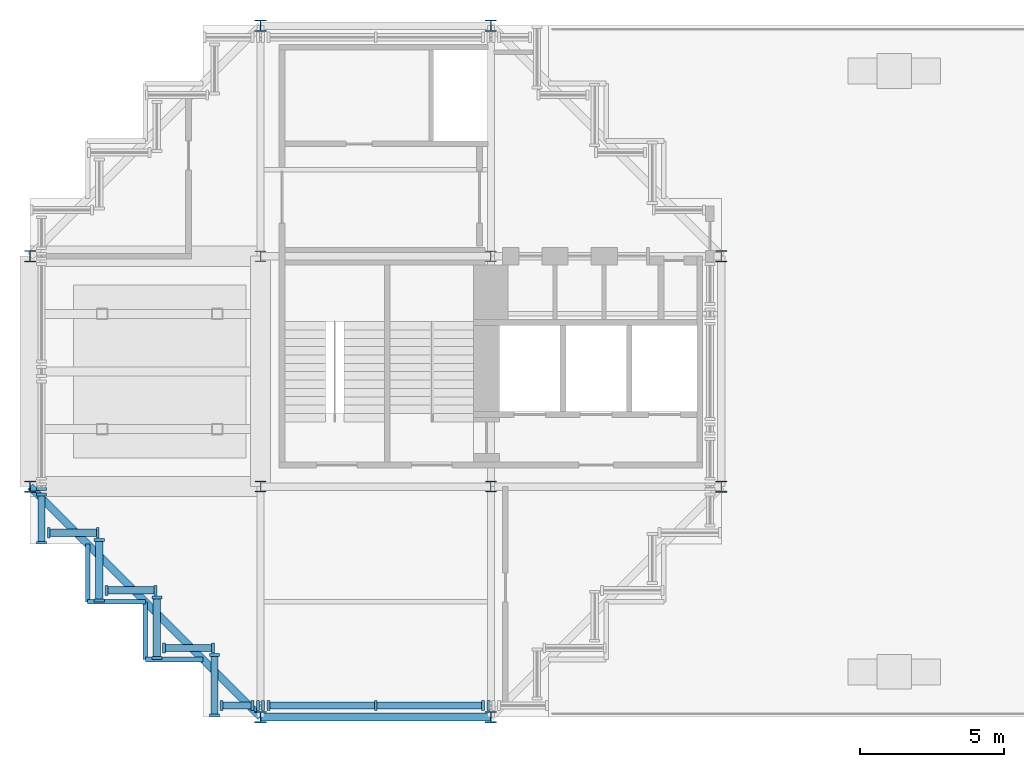
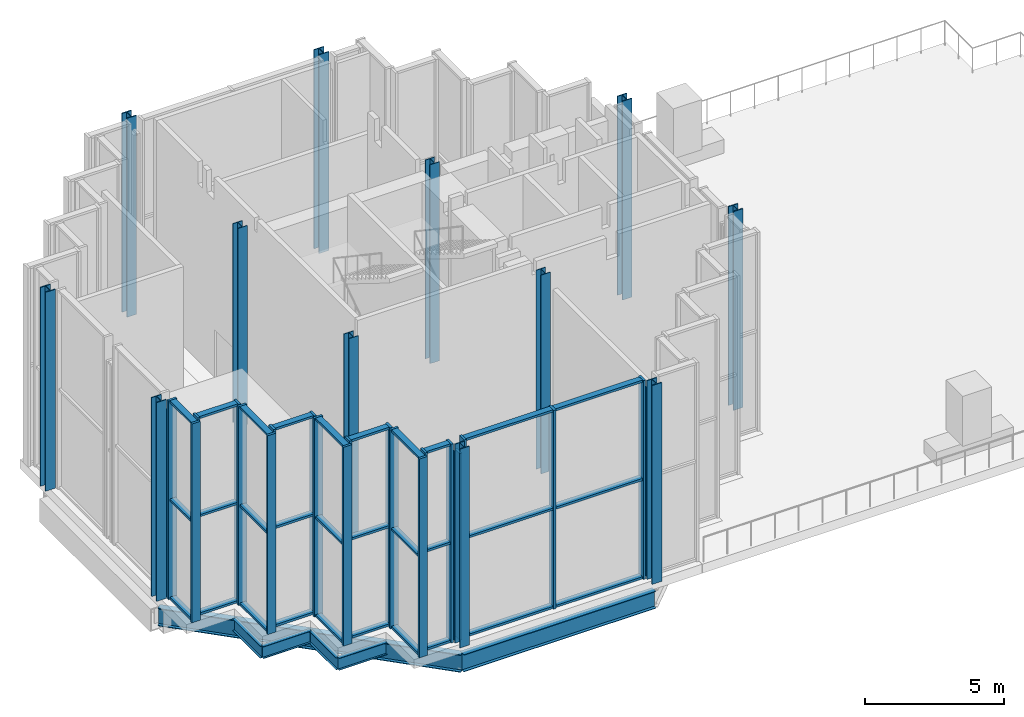
# One storey, part 1 of 15: 53 members, 12 columns, 6 beams, 12 elements without a shape of their own.
"""IFC4 building model written with IfcOpenShell, lengths in metres."""

from ifc_helpers import new_model, si_unit, direction, frame, origin, origin_2d, place, context, subcontext, project, spatial, rectangle, i_section, extrude, material, material_profile, profile_set, type_object, element, aggregate, save


model = new_model("IFC4")

# Units and contexts
model_context = context("Model", 3, precision=1e-05, world=origin(), true_north=direction((0.0, 1.0)))
body_context = subcontext(model_context, "Body", "Model", "MODEL_VIEW")
ifc_project = project(units=[si_unit("LENGTHUNIT", "METRE"), si_unit("AREAUNIT", "SQUARE_METRE"), si_unit("VOLUMEUNIT", "CUBIC_METRE"), si_unit("PLANEANGLEUNIT", "RADIAN"), si_unit("MASSUNIT", "GRAM", prefix="KILO")], contexts=[model_context])

# Site, building, storey
site_placement = place(None, origin())
site = spatial("IfcSite", under=ifc_project, at=site_placement, CompositionType="ELEMENT")
building_placement = place(site_placement, origin())
building = spatial("IfcBuilding", under=site, at=building_placement, Name="Immortelle Media Tower", CompositionType="ELEMENT")
storey_placement = place(building_placement, frame((0.0, 0.0, 299.0)))
storey = spatial("IfcBuildingStorey", under=building, at=storey_placement, Name="L66", CompositionType="ELEMENT", Elevation=299.0)

# Columns
ifc_material_1 = material(Name="Steel ASTM A992 Gr 50", Category="steel")
ifc_material_profile_1 = material_profile(ifc_material_1, i_section(OverallWidth=0.39404296875, OverallDepth=0.3759765625, WebThickness=0.01708984375, FlangeThickness=0.028076171875, at=origin_2d()), Name="W14x145")
ifc_profile_set_1 = profile_set([ifc_material_profile_1], Name="Steel ASTM A992 Gr 50")
column_type_1 = type_object("IfcColumnType", Name="W14x145 column", PredefinedType="COLUMN", material=ifc_profile_set_1)
for number, where, z_axis, x_axis, name in (
    (1, (8.0, 8.0, 0.0), (0.0, 0.0, 1.0), (1.0, 0.0, 0.0), "Column 2/B"),
    (2, (8.0, 16.0, 0.0), (0.0, 0.0, 1.0), (1.0, 0.0, 0.0), "Column 2/C"),
    (3, (16.0, 8.0, 0.0), (0.0, 0.0, 1.0), (1.0, 0.0, 0.0), "Column 3/B"),
    (4, (16.0, 16.0, 0.0), (0.0, 0.0, 1.0), (1.0, 0.0, 0.0), "Column 3/C"),
):
    element("IfcColumn", number, at=place(storey_placement, frame(where, z_axis=z_axis, x_axis=x_axis)), inside=storey, type_object=column_type_1, Name=name, PredefinedType="COLUMN", context=body_context, shape_type="SweptSolid", body=[
        extrude(i_section(OverallWidth=0.39404296875, OverallDepth=0.3759765625, WebThickness=0.01708984375, FlangeThickness=0.028076171875, at=origin_2d()), origin(), (0.0, 0.0, 1.0), 8.75),
    ])
ifc_material_profile_2 = material_profile(ifc_material_1, i_section(OverallWidth=0.40087890625, OverallDepth=0.39892578125, WebThickness=0.02490234375, FlangeThickness=0.0400390625, at=origin_2d()), Name="W14x211")
ifc_profile_set_2 = profile_set([ifc_material_profile_2], Name="Steel ASTM A992 Gr 50")
column_type_2 = type_object("IfcColumnType", Name="W14x211 column", PredefinedType="COLUMN", material=ifc_profile_set_2)
for number, where, z_axis, x_axis, name in (
    (5, (0.0, 8.0, 0.0), (0.0, 0.0, 1.0), (1.0, 0.0, 0.0), "Column 1/B"),
    (6, (0.0, 16.0, 0.0), (0.0, 0.0, 1.0), (1.0, 0.0, 0.0), "Column 1/C"),
    (7, (8.0, 0.0, 0.0), (0.0, 0.0, 1.0), (1.0, 0.0, 0.0), "Column 2/A"),
    (8, (8.0, 24.0, 0.0), (0.0, 0.0, 1.0), (1.0, 0.0, 0.0), "Column 2/D"),
    (9, (16.0, 0.0, 0.0), (0.0, 0.0, 1.0), (1.0, 0.0, 0.0), "Column 3/A"),
    (10, (16.0, 24.0, 0.0), (0.0, 0.0, 1.0), (1.0, 0.0, 0.0), "Column 3/D"),
    (11, (24.0, 8.0, 0.0), (0.0, 0.0, 1.0), (1.0, 0.0, 0.0), "Column 4/B"),
    (12, (24.0, 16.0, 0.0), (0.0, 0.0, 1.0), (1.0, 0.0, 0.0), "Column 4/C"),
):
    element("IfcColumn", number, at=place(storey_placement, frame(where, z_axis=z_axis, x_axis=x_axis)), inside=storey, type_object=column_type_2, Name=name, PredefinedType="COLUMN", context=body_context, shape_type="SweptSolid", body=[
        extrude(i_section(OverallWidth=0.40087890625, OverallDepth=0.39892578125, WebThickness=0.02490234375, FlangeThickness=0.0400390625, at=origin_2d()), origin(), (0.0, 0.0, 1.0), 8.75),
    ])

# Curtain wall, member
ifc_material_2 = material(Name="Aluminium curtain wall system", Category="aluminium")
curtain_wall_type = type_object("IfcCurtainWallType", Name="Damper hall glazing curtain wall", PredefinedType="NOTDEFINED", material=ifc_material_2)
curtain_wall_1_placement = place(storey_placement, origin())
curtain_wall_1 = element("IfcCurtainWall", 13, at=curtain_wall_1_placement, inside=storey, type_object=curtain_wall_type, Name="Damper hall glazing L66 W 21-6", PredefinedType="NOTDEFINED")
ifc_material_3 = material(Name="Aluminium 6063-T6", Category="aluminium")
ifc_material_profile_3 = material_profile(ifc_material_3, rectangle(XDim=0.35009765625, YDim=0.10009765625, at=origin_2d()), Name="AL 100x350")
ifc_profile_set_3 = profile_set([ifc_material_profile_3], Name="Aluminium 6063-T6")
member_type_1 = type_object("IfcMemberType", Name="Damper hall glazing mullion 100 x 350", PredefinedType="MULLION", material=ifc_profile_set_3)
member_1_placement = place(storey_placement, frame((0.39990234375, 7.91650390625, 0.0), z_axis=(0.0, 0.0, 1.0), x_axis=(1.0, 0.0, 0.0)))
member_1 = element("IfcMember", 14, at=member_1_placement, type_object=member_type_1, Name="CW5 mullion 2", PredefinedType="MULLION", context=body_context, shape_type="SweptSolid", body=[
    extrude(rectangle(XDim=0.35009765625, YDim=0.10009765625, at=origin_2d()), origin(), (0.0, 0.0, 1.0), 8.21337890625),
])
aggregate(curtain_wall_1, [member_1])

# Curtain wall, members
curtain_wall_2_placement = place(storey_placement, origin())
curtain_wall_2 = element("IfcCurtainWall", 15, at=curtain_wall_2_placement, inside=storey, type_object=curtain_wall_type, Name="Damper hall glazing L66 W 21-7", PredefinedType="NOTDEFINED")
member_2_placement = place(storey_placement, frame((0.39990234375, 7.7265625, 0.0), z_axis=(0.0, 0.0, 1.0), x_axis=(1.0, 0.0, 0.0)))
member_2 = element("IfcMember", 16, at=member_2_placement, type_object=member_type_1, Name="CW5 mullion 1", PredefinedType="MULLION", context=body_context, shape_type="SweptSolid", body=[
    extrude(rectangle(XDim=0.35009765625, YDim=0.10009765625, at=origin_2d()), origin(), (0.0, 0.0, 1.0), 8.74951171875),
])
member_3_placement = place(storey_placement, frame((0.39990234375, 6.050048828125, 0.0), z_axis=(0.0, 0.0, 1.0), x_axis=(1.0, 0.0, 0.0)))
member_3 = element("IfcMember", 17, at=member_3_placement, type_object=member_type_1, Name="CW5 mullion 2", PredefinedType="MULLION", context=body_context, shape_type="SweptSolid", body=[
    extrude(rectangle(XDim=0.35009765625, YDim=0.10009765625, at=origin_2d()), origin(), (0.0, 0.0, 1.0), 8.74951171875),
])

curtain_wall_3_placement = place(storey_placement, origin())
curtain_wall_3 = element("IfcCurtainWall", 18, at=curtain_wall_3_placement, inside=storey, type_object=curtain_wall_type, Name="Damper hall glazing L66 S 22", PredefinedType="NOTDEFINED")
member_4_placement = place(storey_placement, frame((0.64990234375, 6.39990234375, 0.0), z_axis=(0.0, 0.0, 1.0), x_axis=(0.0, 1.0, 0.0)))
member_4 = element("IfcMember", 19, at=member_4_placement, type_object=member_type_1, Name="CW5 mullion 1", PredefinedType="MULLION", context=body_context, shape_type="SweptSolid", body=[
    extrude(rectangle(XDim=0.35009765625, YDim=0.10009765625, at=origin_2d()), origin(), (0.0, 0.0, 1.0), 8.74951171875),
])
member_5_placement = place(storey_placement, frame((2.35009765625, 6.39990234375, 0.0), z_axis=(0.0, 0.0, 1.0), x_axis=(0.0, 1.0, 0.0)))
member_5 = element("IfcMember", 20, at=member_5_placement, type_object=member_type_1, Name="CW5 mullion 2", PredefinedType="MULLION", context=body_context, shape_type="SweptSolid", body=[
    extrude(rectangle(XDim=0.35009765625, YDim=0.10009765625, at=origin_2d()), origin(), (0.0, 0.0, 1.0), 8.74951171875),
])

curtain_wall_4_placement = place(storey_placement, origin())
curtain_wall_4 = element("IfcCurtainWall", 21, at=curtain_wall_4_placement, inside=storey, type_object=curtain_wall_type, Name="Damper hall glazing L66 W 23", PredefinedType="NOTDEFINED")
member_6_placement = place(storey_placement, frame((2.39990234375, 6.14990234375, 0.0), z_axis=(0.0, 0.0, 1.0), x_axis=(1.0, 0.0, 0.0)))
member_6 = element("IfcMember", 22, at=member_6_placement, type_object=member_type_1, Name="CW5 mullion 1", PredefinedType="MULLION", context=body_context, shape_type="SweptSolid", body=[
    extrude(rectangle(XDim=0.35009765625, YDim=0.10009765625, at=origin_2d()), origin(), (0.0, 0.0, 1.0), 8.74951171875),
])
member_7_placement = place(storey_placement, frame((2.39990234375, 4.050048828125, 0.0), z_axis=(0.0, 0.0, 1.0), x_axis=(1.0, 0.0, 0.0)))
member_7 = element("IfcMember", 23, at=member_7_placement, type_object=member_type_1, Name="CW5 mullion 2", PredefinedType="MULLION", context=body_context, shape_type="SweptSolid", body=[
    extrude(rectangle(XDim=0.35009765625, YDim=0.10009765625, at=origin_2d()), origin(), (0.0, 0.0, 1.0), 8.74951171875),
])

curtain_wall_5_placement = place(storey_placement, origin())
curtain_wall_5 = element("IfcCurtainWall", 24, at=curtain_wall_5_placement, inside=storey, type_object=curtain_wall_type, Name="Damper hall glazing L66 S 24", PredefinedType="NOTDEFINED")
member_8_placement = place(storey_placement, frame((2.64990234375, 4.39990234375, 0.0), z_axis=(0.0, 0.0, 1.0), x_axis=(0.0, 1.0, 0.0)))
member_8 = element("IfcMember", 25, at=member_8_placement, type_object=member_type_1, Name="CW5 mullion 1", PredefinedType="MULLION", context=body_context, shape_type="SweptSolid", body=[
    extrude(rectangle(XDim=0.35009765625, YDim=0.10009765625, at=origin_2d()), origin(), (0.0, 0.0, 1.0), 8.74951171875),
])
member_9_placement = place(storey_placement, frame((4.35009765625, 4.39990234375, 0.0), z_axis=(0.0, 0.0, 1.0), x_axis=(0.0, 1.0, 0.0)))
member_9 = element("IfcMember", 26, at=member_9_placement, type_object=member_type_1, Name="CW5 mullion 2", PredefinedType="MULLION", context=body_context, shape_type="SweptSolid", body=[
    extrude(rectangle(XDim=0.35009765625, YDim=0.10009765625, at=origin_2d()), origin(), (0.0, 0.0, 1.0), 8.74951171875),
])

curtain_wall_6_placement = place(storey_placement, origin())
curtain_wall_6 = element("IfcCurtainWall", 27, at=curtain_wall_6_placement, inside=storey, type_object=curtain_wall_type, Name="Damper hall glazing L66 W 25", PredefinedType="NOTDEFINED")
member_10_placement = place(storey_placement, frame((4.39990234375, 4.14990234375, 0.0), z_axis=(0.0, 0.0, 1.0), x_axis=(1.0, 0.0, 0.0)))
member_10 = element("IfcMember", 28, at=member_10_placement, type_object=member_type_1, Name="CW5 mullion 1", PredefinedType="MULLION", context=body_context, shape_type="SweptSolid", body=[
    extrude(rectangle(XDim=0.35009765625, YDim=0.10009765625, at=origin_2d()), origin(), (0.0, 0.0, 1.0), 8.74951171875),
])
member_11_placement = place(storey_placement, frame((4.39990234375, 2.050048828125, 0.0), z_axis=(0.0, 0.0, 1.0), x_axis=(1.0, 0.0, 0.0)))
member_11 = element("IfcMember", 29, at=member_11_placement, type_object=member_type_1, Name="CW5 mullion 2", PredefinedType="MULLION", context=body_context, shape_type="SweptSolid", body=[
    extrude(rectangle(XDim=0.35009765625, YDim=0.10009765625, at=origin_2d()), origin(), (0.0, 0.0, 1.0), 8.74951171875),
])

curtain_wall_7_placement = place(storey_placement, origin())
curtain_wall_7 = element("IfcCurtainWall", 30, at=curtain_wall_7_placement, inside=storey, type_object=curtain_wall_type, Name="Damper hall glazing L66 S 26", PredefinedType="NOTDEFINED")
member_12_placement = place(storey_placement, frame((4.64990234375, 2.39990234375, 0.0), z_axis=(0.0, 0.0, 1.0), x_axis=(0.0, 1.0, 0.0)))
member_12 = element("IfcMember", 31, at=member_12_placement, type_object=member_type_1, Name="CW5 mullion 1", PredefinedType="MULLION", context=body_context, shape_type="SweptSolid", body=[
    extrude(rectangle(XDim=0.35009765625, YDim=0.10009765625, at=origin_2d()), origin(), (0.0, 0.0, 1.0), 8.74951171875),
])
member_13_placement = place(storey_placement, frame((6.35009765625, 2.39990234375, 0.0), z_axis=(0.0, 0.0, 1.0), x_axis=(0.0, 1.0, 0.0)))
member_13 = element("IfcMember", 32, at=member_13_placement, type_object=member_type_1, Name="CW5 mullion 2", PredefinedType="MULLION", context=body_context, shape_type="SweptSolid", body=[
    extrude(rectangle(XDim=0.35009765625, YDim=0.10009765625, at=origin_2d()), origin(), (0.0, 0.0, 1.0), 8.74951171875),
])

curtain_wall_8_placement = place(storey_placement, origin())
curtain_wall_8 = element("IfcCurtainWall", 33, at=curtain_wall_8_placement, inside=storey, type_object=curtain_wall_type, Name="Damper hall glazing L66 W 27", PredefinedType="NOTDEFINED")
member_14_placement = place(storey_placement, frame((6.39990234375, 2.14990234375, 0.0), z_axis=(0.0, 0.0, 1.0), x_axis=(1.0, 0.0, 0.0)))
member_14 = element("IfcMember", 34, at=member_14_placement, type_object=member_type_1, Name="CW5 mullion 1", PredefinedType="MULLION", context=body_context, shape_type="SweptSolid", body=[
    extrude(rectangle(XDim=0.35009765625, YDim=0.10009765625, at=origin_2d()), origin(), (0.0, 0.0, 1.0), 8.74951171875),
])
member_15_placement = place(storey_placement, frame((6.39990234375, 0.050048828125, 0.0), z_axis=(0.0, 0.0, 1.0), x_axis=(1.0, 0.0, 0.0)))
member_15 = element("IfcMember", 35, at=member_15_placement, type_object=member_type_1, Name="CW5 mullion 2", PredefinedType="MULLION", context=body_context, shape_type="SweptSolid", body=[
    extrude(rectangle(XDim=0.35009765625, YDim=0.10009765625, at=origin_2d()), origin(), (0.0, 0.0, 1.0), 8.74951171875),
])

curtain_wall_9_placement = place(storey_placement, origin())
curtain_wall_9 = element("IfcCurtainWall", 36, at=curtain_wall_9_placement, inside=storey, type_object=curtain_wall_type, Name="Damper hall glazing L66 S 28-1", PredefinedType="NOTDEFINED")
member_16_placement = place(storey_placement, frame((6.64990234375, 0.39990234375, 0.0), z_axis=(0.0, 0.0, 1.0), x_axis=(0.0, 1.0, 0.0)))
member_16 = element("IfcMember", 37, at=member_16_placement, type_object=member_type_1, Name="CW5 mullion 1", PredefinedType="MULLION", context=body_context, shape_type="SweptSolid", body=[
    extrude(rectangle(XDim=0.35009765625, YDim=0.10009765625, at=origin_2d()), origin(), (0.0, 0.0, 1.0), 8.74951171875),
])
member_17_placement = place(storey_placement, frame((7.7265625, 0.39990234375, 0.0), z_axis=(0.0, 0.0, 1.0), x_axis=(0.0, 1.0, 0.0)))
member_17 = element("IfcMember", 38, at=member_17_placement, type_object=member_type_1, Name="CW5 mullion 2", PredefinedType="MULLION", context=body_context, shape_type="SweptSolid", body=[
    extrude(rectangle(XDim=0.35009765625, YDim=0.10009765625, at=origin_2d()), origin(), (0.0, 0.0, 1.0), 8.74951171875),
])

curtain_wall_10_placement = place(storey_placement, origin())
curtain_wall_10 = element("IfcCurtainWall", 39, at=curtain_wall_10_placement, inside=storey, type_object=curtain_wall_type, Name="Damper hall glazing L66 S 28-2", PredefinedType="NOTDEFINED")
member_18_placement = place(storey_placement, frame((7.91650390625, 0.39990234375, 0.0), z_axis=(0.0, 0.0, 1.0), x_axis=(0.0, 1.0, 0.0)))
member_18 = element("IfcMember", 40, at=member_18_placement, type_object=member_type_1, Name="CW5 mullion 1", PredefinedType="MULLION", context=body_context, shape_type="SweptSolid", body=[
    extrude(rectangle(XDim=0.35009765625, YDim=0.10009765625, at=origin_2d()), origin(), (0.0, 0.0, 1.0), 8.21337890625),
])
member_19_placement = place(storey_placement, frame((8.08349609375, 0.39990234375, 0.0), z_axis=(0.0, 0.0, 1.0), x_axis=(0.0, 1.0, 0.0)))
member_19 = element("IfcMember", 41, at=member_19_placement, type_object=member_type_1, Name="CW5 mullion 2", PredefinedType="MULLION", context=body_context, shape_type="SweptSolid", body=[
    extrude(rectangle(XDim=0.35009765625, YDim=0.10009765625, at=origin_2d()), origin(), (0.0, 0.0, 1.0), 8.21337890625),
])
aggregate(curtain_wall_10, [member_18, member_19])

curtain_wall_11_placement = place(storey_placement, origin())
curtain_wall_11 = element("IfcCurtainWall", 42, at=curtain_wall_11_placement, inside=storey, type_object=curtain_wall_type, Name="Damper hall glazing L66 S 28-3", PredefinedType="NOTDEFINED")
member_20_placement = place(storey_placement, frame((8.2734375, 0.39990234375, 0.0), z_axis=(0.0, 0.0, 1.0), x_axis=(0.0, 1.0, 0.0)))
member_20 = element("IfcMember", 43, at=member_20_placement, type_object=member_type_1, Name="CW5 mullion 1", PredefinedType="MULLION", context=body_context, shape_type="SweptSolid", body=[
    extrude(rectangle(XDim=0.35009765625, YDim=0.10009765625, at=origin_2d()), origin(), (0.0, 0.0, 1.0), 8.74951171875),
])
member_21_placement = place(storey_placement, frame((12.0, 0.39990234375, 0.0), z_axis=(0.0, 0.0, 1.0), x_axis=(0.0, 1.0, 0.0)))
member_21 = element("IfcMember", 44, at=member_21_placement, type_object=member_type_1, Name="CW5 mullion 2", PredefinedType="MULLION", context=body_context, shape_type="SweptSolid", body=[
    extrude(rectangle(XDim=0.35009765625, YDim=0.10009765625, at=origin_2d()), origin(), (0.0, 0.0, 1.0), 8.74951171875),
])
member_22_placement = place(storey_placement, frame((15.7265625, 0.39990234375, 0.0), z_axis=(0.0, 0.0, 1.0), x_axis=(0.0, 1.0, 0.0)))
member_22 = element("IfcMember", 45, at=member_22_placement, type_object=member_type_1, Name="CW5 mullion 3", PredefinedType="MULLION", context=body_context, shape_type="SweptSolid", body=[
    extrude(rectangle(XDim=0.35009765625, YDim=0.10009765625, at=origin_2d()), origin(), (0.0, 0.0, 1.0), 8.74951171875),
])

# Curtain wall, member
curtain_wall_12_placement = place(storey_placement, origin())
curtain_wall_12 = element("IfcCurtainWall", 46, at=curtain_wall_12_placement, inside=storey, type_object=curtain_wall_type, Name="Damper hall glazing L66 S 28-4", PredefinedType="NOTDEFINED")
member_23_placement = place(storey_placement, frame((15.91650390625, 0.39990234375, 0.0), z_axis=(0.0, 0.0, 1.0), x_axis=(0.0, 1.0, 0.0)))
member_23 = element("IfcMember", 47, at=member_23_placement, type_object=member_type_1, Name="CW5 mullion 1", PredefinedType="MULLION", context=body_context, shape_type="SweptSolid", body=[
    extrude(rectangle(XDim=0.35009765625, YDim=0.10009765625, at=origin_2d()), origin(), (0.0, 0.0, 1.0), 8.21337890625),
])
aggregate(curtain_wall_12, [member_23])

# Member
ifc_material_profile_4 = material_profile(ifc_material_3, rectangle(XDim=0.25, YDim=0.10009765625, at=origin_2d()), Name="AL 100x250")
ifc_profile_set_4 = profile_set([ifc_material_profile_4], Name="Aluminium 6063-T6")
member_type_2 = type_object("IfcMemberType", Name="Damper hall glazing transom 100 x 250", PredefinedType="USERDEFINED", material=ifc_profile_set_4)
member_24_placement = place(storey_placement, frame((0.39990234375, 7.676513671875, 0.050048828125), z_axis=(0.0, -1.0, 0.0), x_axis=(1.0, 0.0, 0.0)))
member_24 = element("IfcMember", 48, at=member_24_placement, type_object=member_type_2, Name="CW5 transom 1.1", ObjectType="TRANSOM", PredefinedType="USERDEFINED", context=body_context, shape_type="SweptSolid", body=[
    extrude(rectangle(XDim=0.25, YDim=0.10009765625, at=origin_2d()), origin(), (0.0, 0.0, 1.0), 1.576416015625),
])

member_25_placement = place(storey_placement, frame((0.39990234375, 7.676513671875, 4.374755859375), z_axis=(0.0, -1.0, 0.0), x_axis=(1.0, 0.0, 0.0)))
member_25 = element("IfcMember", 49, at=member_25_placement, type_object=member_type_2, Name="CW5 transom 1.2", ObjectType="TRANSOM", PredefinedType="USERDEFINED", context=body_context, shape_type="SweptSolid", body=[
    extrude(rectangle(XDim=0.25, YDim=0.10009765625, at=origin_2d()), origin(), (0.0, 0.0, 1.0), 1.576416015625),
])

member_26_placement = place(storey_placement, frame((0.39990234375, 7.676513671875, 8.699462890625), z_axis=(0.0, -1.0, 0.0), x_axis=(1.0, 0.0, 0.0)))
member_26 = element("IfcMember", 50, at=member_26_placement, type_object=member_type_2, Name="CW5 transom 1.3", ObjectType="TRANSOM", PredefinedType="USERDEFINED", context=body_context, shape_type="SweptSolid", body=[
    extrude(rectangle(XDim=0.25, YDim=0.10009765625, at=origin_2d()), origin(), (0.0, 0.0, 1.0), 1.576416015625),
])

aggregate(curtain_wall_2, [member_2, member_3, member_24, member_25, member_26])

member_27_placement = place(storey_placement, frame((0.699951171875, 6.39990234375, 0.050048828125), z_axis=(1.0, 0.0, 0.0), x_axis=(0.0, 1.0, 0.0)))
member_27 = element("IfcMember", 51, at=member_27_placement, type_object=member_type_2, Name="CW5 transom 1.1", ObjectType="TRANSOM", PredefinedType="USERDEFINED", context=body_context, shape_type="SweptSolid", body=[
    extrude(rectangle(XDim=0.25, YDim=0.10009765625, at=origin_2d()), origin(), (0.0, 0.0, 1.0), 1.60009765625),
])

member_28_placement = place(storey_placement, frame((0.699951171875, 6.39990234375, 4.374755859375), z_axis=(1.0, 0.0, 0.0), x_axis=(0.0, 1.0, 0.0)))
member_28 = element("IfcMember", 52, at=member_28_placement, type_object=member_type_2, Name="CW5 transom 1.2", ObjectType="TRANSOM", PredefinedType="USERDEFINED", context=body_context, shape_type="SweptSolid", body=[
    extrude(rectangle(XDim=0.25, YDim=0.10009765625, at=origin_2d()), origin(), (0.0, 0.0, 1.0), 1.60009765625),
])

member_29_placement = place(storey_placement, frame((0.699951171875, 6.39990234375, 8.699462890625), z_axis=(1.0, 0.0, 0.0), x_axis=(0.0, 1.0, 0.0)))
member_29 = element("IfcMember", 53, at=member_29_placement, type_object=member_type_2, Name="CW5 transom 1.3", ObjectType="TRANSOM", PredefinedType="USERDEFINED", context=body_context, shape_type="SweptSolid", body=[
    extrude(rectangle(XDim=0.25, YDim=0.10009765625, at=origin_2d()), origin(), (0.0, 0.0, 1.0), 1.60009765625),
])

aggregate(curtain_wall_3, [member_4, member_5, member_27, member_28, member_29])

member_30_placement = place(storey_placement, frame((2.39990234375, 6.10009765625, 0.050048828125), z_axis=(0.0, -1.0, 0.0), x_axis=(1.0, 0.0, 0.0)))
member_30 = element("IfcMember", 54, at=member_30_placement, type_object=member_type_2, Name="CW5 transom 1.1", ObjectType="TRANSOM", PredefinedType="USERDEFINED", context=body_context, shape_type="SweptSolid", body=[
    extrude(rectangle(XDim=0.25, YDim=0.10009765625, at=origin_2d()), origin(), (0.0, 0.0, 1.0), 2.0),
])

member_31_placement = place(storey_placement, frame((2.39990234375, 6.10009765625, 4.374755859375), z_axis=(0.0, -1.0, 0.0), x_axis=(1.0, 0.0, 0.0)))
member_31 = element("IfcMember", 55, at=member_31_placement, type_object=member_type_2, Name="CW5 transom 1.2", ObjectType="TRANSOM", PredefinedType="USERDEFINED", context=body_context, shape_type="SweptSolid", body=[
    extrude(rectangle(XDim=0.25, YDim=0.10009765625, at=origin_2d()), origin(), (0.0, 0.0, 1.0), 2.0),
])

member_32_placement = place(storey_placement, frame((2.39990234375, 6.10009765625, 8.699462890625), z_axis=(0.0, -1.0, 0.0), x_axis=(1.0, 0.0, 0.0)))
member_32 = element("IfcMember", 56, at=member_32_placement, type_object=member_type_2, Name="CW5 transom 1.3", ObjectType="TRANSOM", PredefinedType="USERDEFINED", context=body_context, shape_type="SweptSolid", body=[
    extrude(rectangle(XDim=0.25, YDim=0.10009765625, at=origin_2d()), origin(), (0.0, 0.0, 1.0), 2.0),
])

aggregate(curtain_wall_4, [member_6, member_7, member_30, member_31, member_32])

member_33_placement = place(storey_placement, frame((2.699951171875, 4.39990234375, 0.050048828125), z_axis=(1.0, 0.0, 0.0), x_axis=(0.0, 1.0, 0.0)))
member_33 = element("IfcMember", 57, at=member_33_placement, type_object=member_type_2, Name="CW5 transom 1.1", ObjectType="TRANSOM", PredefinedType="USERDEFINED", context=body_context, shape_type="SweptSolid", body=[
    extrude(rectangle(XDim=0.25, YDim=0.10009765625, at=origin_2d()), origin(), (0.0, 0.0, 1.0), 1.60009765625),
])

member_34_placement = place(storey_placement, frame((2.699951171875, 4.39990234375, 4.374755859375), z_axis=(1.0, 0.0, 0.0), x_axis=(0.0, 1.0, 0.0)))
member_34 = element("IfcMember", 58, at=member_34_placement, type_object=member_type_2, Name="CW5 transom 1.2", ObjectType="TRANSOM", PredefinedType="USERDEFINED", context=body_context, shape_type="SweptSolid", body=[
    extrude(rectangle(XDim=0.25, YDim=0.10009765625, at=origin_2d()), origin(), (0.0, 0.0, 1.0), 1.60009765625),
])

member_35_placement = place(storey_placement, frame((2.699951171875, 4.39990234375, 8.699462890625), z_axis=(1.0, 0.0, 0.0), x_axis=(0.0, 1.0, 0.0)))
member_35 = element("IfcMember", 59, at=member_35_placement, type_object=member_type_2, Name="CW5 transom 1.3", ObjectType="TRANSOM", PredefinedType="USERDEFINED", context=body_context, shape_type="SweptSolid", body=[
    extrude(rectangle(XDim=0.25, YDim=0.10009765625, at=origin_2d()), origin(), (0.0, 0.0, 1.0), 1.60009765625),
])

aggregate(curtain_wall_5, [member_8, member_9, member_33, member_34, member_35])

member_36_placement = place(storey_placement, frame((4.39990234375, 4.10009765625, 0.050048828125), z_axis=(0.0, -1.0, 0.0), x_axis=(1.0, 0.0, 0.0)))
member_36 = element("IfcMember", 60, at=member_36_placement, type_object=member_type_2, Name="CW5 transom 1.1", ObjectType="TRANSOM", PredefinedType="USERDEFINED", context=body_context, shape_type="SweptSolid", body=[
    extrude(rectangle(XDim=0.25, YDim=0.10009765625, at=origin_2d()), origin(), (0.0, 0.0, 1.0), 2.0),
])

member_37_placement = place(storey_placement, frame((4.39990234375, 4.10009765625, 4.374755859375), z_axis=(0.0, -1.0, 0.0), x_axis=(1.0, 0.0, 0.0)))
member_37 = element("IfcMember", 61, at=member_37_placement, type_object=member_type_2, Name="CW5 transom 1.2", ObjectType="TRANSOM", PredefinedType="USERDEFINED", context=body_context, shape_type="SweptSolid", body=[
    extrude(rectangle(XDim=0.25, YDim=0.10009765625, at=origin_2d()), origin(), (0.0, 0.0, 1.0), 2.0),
])

member_38_placement = place(storey_placement, frame((4.39990234375, 4.10009765625, 8.699462890625), z_axis=(0.0, -1.0, 0.0), x_axis=(1.0, 0.0, 0.0)))
member_38 = element("IfcMember", 62, at=member_38_placement, type_object=member_type_2, Name="CW5 transom 1.3", ObjectType="TRANSOM", PredefinedType="USERDEFINED", context=body_context, shape_type="SweptSolid", body=[
    extrude(rectangle(XDim=0.25, YDim=0.10009765625, at=origin_2d()), origin(), (0.0, 0.0, 1.0), 2.0),
])

aggregate(curtain_wall_6, [member_10, member_11, member_36, member_37, member_38])

member_39_placement = place(storey_placement, frame((4.699951171875, 2.39990234375, 0.050048828125), z_axis=(1.0, 0.0, 0.0), x_axis=(0.0, 1.0, 0.0)))
member_39 = element("IfcMember", 63, at=member_39_placement, type_object=member_type_2, Name="CW5 transom 1.1", ObjectType="TRANSOM", PredefinedType="USERDEFINED", context=body_context, shape_type="SweptSolid", body=[
    extrude(rectangle(XDim=0.25, YDim=0.10009765625, at=origin_2d()), origin(), (0.0, 0.0, 1.0), 1.60009765625),
])

member_40_placement = place(storey_placement, frame((4.699951171875, 2.39990234375, 4.374755859375), z_axis=(1.0, 0.0, 0.0), x_axis=(0.0, 1.0, 0.0)))
member_40 = element("IfcMember", 64, at=member_40_placement, type_object=member_type_2, Name="CW5 transom 1.2", ObjectType="TRANSOM", PredefinedType="USERDEFINED", context=body_context, shape_type="SweptSolid", body=[
    extrude(rectangle(XDim=0.25, YDim=0.10009765625, at=origin_2d()), origin(), (0.0, 0.0, 1.0), 1.60009765625),
])

member_41_placement = place(storey_placement, frame((4.699951171875, 2.39990234375, 8.699462890625), z_axis=(1.0, 0.0, 0.0), x_axis=(0.0, 1.0, 0.0)))
member_41 = element("IfcMember", 65, at=member_41_placement, type_object=member_type_2, Name="CW5 transom 1.3", ObjectType="TRANSOM", PredefinedType="USERDEFINED", context=body_context, shape_type="SweptSolid", body=[
    extrude(rectangle(XDim=0.25, YDim=0.10009765625, at=origin_2d()), origin(), (0.0, 0.0, 1.0), 1.60009765625),
])

aggregate(curtain_wall_7, [member_12, member_13, member_39, member_40, member_41])

member_42_placement = place(storey_placement, frame((6.39990234375, 2.10009765625, 0.050048828125), z_axis=(0.0, -1.0, 0.0), x_axis=(1.0, 0.0, 0.0)))
member_42 = element("IfcMember", 66, at=member_42_placement, type_object=member_type_2, Name="CW5 transom 1.1", ObjectType="TRANSOM", PredefinedType="USERDEFINED", context=body_context, shape_type="SweptSolid", body=[
    extrude(rectangle(XDim=0.25, YDim=0.10009765625, at=origin_2d()), origin(), (0.0, 0.0, 1.0), 2.0),
])

member_43_placement = place(storey_placement, frame((6.39990234375, 2.10009765625, 4.374755859375), z_axis=(0.0, -1.0, 0.0), x_axis=(1.0, 0.0, 0.0)))
member_43 = element("IfcMember", 67, at=member_43_placement, type_object=member_type_2, Name="CW5 transom 1.2", ObjectType="TRANSOM", PredefinedType="USERDEFINED", context=body_context, shape_type="SweptSolid", body=[
    extrude(rectangle(XDim=0.25, YDim=0.10009765625, at=origin_2d()), origin(), (0.0, 0.0, 1.0), 2.0),
])

member_44_placement = place(storey_placement, frame((6.39990234375, 2.10009765625, 8.699462890625), z_axis=(0.0, -1.0, 0.0), x_axis=(1.0, 0.0, 0.0)))
member_44 = element("IfcMember", 68, at=member_44_placement, type_object=member_type_2, Name="CW5 transom 1.3", ObjectType="TRANSOM", PredefinedType="USERDEFINED", context=body_context, shape_type="SweptSolid", body=[
    extrude(rectangle(XDim=0.25, YDim=0.10009765625, at=origin_2d()), origin(), (0.0, 0.0, 1.0), 2.0),
])

aggregate(curtain_wall_8, [member_14, member_15, member_42, member_43, member_44])

member_45_placement = place(storey_placement, frame((6.699951171875, 0.39990234375, 0.050048828125), z_axis=(1.0, 0.0, 0.0), x_axis=(0.0, 1.0, 0.0)))
member_45 = element("IfcMember", 69, at=member_45_placement, type_object=member_type_2, Name="CW5 transom 1.1", ObjectType="TRANSOM", PredefinedType="USERDEFINED", context=body_context, shape_type="SweptSolid", body=[
    extrude(rectangle(XDim=0.25, YDim=0.10009765625, at=origin_2d()), origin(), (0.0, 0.0, 1.0), 0.9765625),
])

member_46_placement = place(storey_placement, frame((6.699951171875, 0.39990234375, 4.374755859375), z_axis=(1.0, 0.0, 0.0), x_axis=(0.0, 1.0, 0.0)))
member_46 = element("IfcMember", 70, at=member_46_placement, type_object=member_type_2, Name="CW5 transom 1.2", ObjectType="TRANSOM", PredefinedType="USERDEFINED", context=body_context, shape_type="SweptSolid", body=[
    extrude(rectangle(XDim=0.25, YDim=0.10009765625, at=origin_2d()), origin(), (0.0, 0.0, 1.0), 0.9765625),
])

member_47_placement = place(storey_placement, frame((6.699951171875, 0.39990234375, 8.699462890625), z_axis=(1.0, 0.0, 0.0), x_axis=(0.0, 1.0, 0.0)))
member_47 = element("IfcMember", 71, at=member_47_placement, type_object=member_type_2, Name="CW5 transom 1.3", ObjectType="TRANSOM", PredefinedType="USERDEFINED", context=body_context, shape_type="SweptSolid", body=[
    extrude(rectangle(XDim=0.25, YDim=0.10009765625, at=origin_2d()), origin(), (0.0, 0.0, 1.0), 0.9765625),
])

aggregate(curtain_wall_9, [member_16, member_17, member_45, member_46, member_47])

member_48_placement = place(storey_placement, frame((8.323486328125, 0.39990234375, 0.050048828125), z_axis=(1.0, 0.0, 0.0), x_axis=(0.0, 1.0, 0.0)))
member_48 = element("IfcMember", 72, at=member_48_placement, type_object=member_type_2, Name="CW5 transom 1.1", ObjectType="TRANSOM", PredefinedType="USERDEFINED", context=body_context, shape_type="SweptSolid", body=[
    extrude(rectangle(XDim=0.25, YDim=0.10009765625, at=origin_2d()), origin(), (0.0, 0.0, 1.0), 3.62646484375),
])

member_49_placement = place(storey_placement, frame((8.323486328125, 0.39990234375, 4.374755859375), z_axis=(1.0, 0.0, 0.0), x_axis=(0.0, 1.0, 0.0)))
member_49 = element("IfcMember", 73, at=member_49_placement, type_object=member_type_2, Name="CW5 transom 1.2", ObjectType="TRANSOM", PredefinedType="USERDEFINED", context=body_context, shape_type="SweptSolid", body=[
    extrude(rectangle(XDim=0.25, YDim=0.10009765625, at=origin_2d()), origin(), (0.0, 0.0, 1.0), 3.62646484375),
])

member_50_placement = place(storey_placement, frame((8.323486328125, 0.39990234375, 8.699462890625), z_axis=(1.0, 0.0, 0.0), x_axis=(0.0, 1.0, 0.0)))
member_50 = element("IfcMember", 74, at=member_50_placement, type_object=member_type_2, Name="CW5 transom 1.3", ObjectType="TRANSOM", PredefinedType="USERDEFINED", context=body_context, shape_type="SweptSolid", body=[
    extrude(rectangle(XDim=0.25, YDim=0.10009765625, at=origin_2d()), origin(), (0.0, 0.0, 1.0), 3.62646484375),
])

member_51_placement = place(storey_placement, frame((12.050048828125, 0.39990234375, 0.050048828125), z_axis=(1.0, 0.0, 0.0), x_axis=(0.0, 1.0, 0.0)))
member_51 = element("IfcMember", 75, at=member_51_placement, type_object=member_type_2, Name="CW5 transom 2.1", ObjectType="TRANSOM", PredefinedType="USERDEFINED", context=body_context, shape_type="SweptSolid", body=[
    extrude(rectangle(XDim=0.25, YDim=0.10009765625, at=origin_2d()), origin(), (0.0, 0.0, 1.0), 3.62646484375),
])

member_52_placement = place(storey_placement, frame((12.050048828125, 0.39990234375, 4.374755859375), z_axis=(1.0, 0.0, 0.0), x_axis=(0.0, 1.0, 0.0)))
member_52 = element("IfcMember", 76, at=member_52_placement, type_object=member_type_2, Name="CW5 transom 2.2", ObjectType="TRANSOM", PredefinedType="USERDEFINED", context=body_context, shape_type="SweptSolid", body=[
    extrude(rectangle(XDim=0.25, YDim=0.10009765625, at=origin_2d()), origin(), (0.0, 0.0, 1.0), 3.62646484375),
])

member_53_placement = place(storey_placement, frame((12.050048828125, 0.39990234375, 8.699462890625), z_axis=(1.0, 0.0, 0.0), x_axis=(0.0, 1.0, 0.0)))
member_53 = element("IfcMember", 77, at=member_53_placement, type_object=member_type_2, Name="CW5 transom 2.3", ObjectType="TRANSOM", PredefinedType="USERDEFINED", context=body_context, shape_type="SweptSolid", body=[
    extrude(rectangle(XDim=0.25, YDim=0.10009765625, at=origin_2d()), origin(), (0.0, 0.0, 1.0), 3.62646484375),
])

aggregate(curtain_wall_11, [member_20, member_21, member_22, member_48, member_49, member_50, member_51, member_52, member_53])

# Beams
ifc_material_profile_5 = material_profile(ifc_material_1, i_section(OverallWidth=0.1669921875, OverallDepth=0.535888671875, WebThickness=0.010009765625, FlangeThickness=0.01708984375, at=origin_2d()), Name="W21x57")
ifc_profile_set_5 = profile_set([ifc_material_profile_5], Name="Steel ASTM A992 Gr 50")
beam_type_1 = type_object("IfcBeamType", Name="W21x57 serration edge beam", PredefinedType="SPANDREL", material=ifc_profile_set_5)
for number, where, z_axis, x_axis, name in (
    (78, (2.0, 6.0, -0.66796875), (0.0, -1.0, 0.0), (1.0, 0.0, 0.0), "Corner edge beam 1 at 1/A"),
    (79, (2.0, 4.0, -0.66796875), (1.0, 0.0, 0.0), (0.0, 1.0, 0.0), "Corner edge beam 2 at 1/A"),
    (80, (4.0, 4.0, -0.66796875), (0.0, -1.0, 0.0), (1.0, 0.0, 0.0), "Corner edge beam 3 at 1/A"),
    (81, (4.0, 2.0, -0.66796875), (1.0, 0.0, 0.0), (0.0, 1.0, 0.0), "Corner edge beam 4 at 1/A"),
):
    element("IfcBeam", number, at=place(storey_placement, frame(where, z_axis=z_axis, x_axis=x_axis)), inside=storey, type_object=beam_type_1, Name=name, PredefinedType="SPANDREL", context=body_context, shape_type="SweptSolid", body=[
        extrude(i_section(OverallWidth=0.1669921875, OverallDepth=0.535888671875, WebThickness=0.010009765625, FlangeThickness=0.01708984375, at=origin_2d()), origin(), (0.0, 0.0, 1.0), 2.0),
    ])
ifc_material_profile_6 = material_profile(ifc_material_1, i_section(OverallWidth=0.26708984375, OverallDepth=0.761962890625, WebThickness=0.013916015625, FlangeThickness=0.02197265625, at=origin_2d()), Name="W30x116")
ifc_profile_set_6 = profile_set([ifc_material_profile_6], Name="Steel ASTM A992 Gr 50")
beam_type_2 = type_object("IfcBeamType", Name="W30x116 perimeter girder", PredefinedType="SPANDREL", material=ifc_profile_set_6)
beam_1_placement = place(storey_placement, frame((8.0, 0.0, -0.781005859375), z_axis=(1.0, 0.0, 0.0), x_axis=(0.0, 1.0, 0.0)))
element("IfcBeam", 82, at=beam_1_placement, inside=storey, type_object=beam_type_2, Name="Girder A/2-3", PredefinedType="SPANDREL", context=body_context, shape_type="SweptSolid", body=[
    extrude(i_section(OverallWidth=0.26708984375, OverallDepth=0.761962890625, WebThickness=0.013916015625, FlangeThickness=0.02197265625, at=origin_2d()), origin(), (0.0, 0.0, 1.0), 8.0),
])
ifc_material_profile_7 = material_profile(ifc_material_1, i_section(OverallWidth=0.26708984375, OverallDepth=0.780029296875, WebThickness=0.01708984375, FlangeThickness=0.030029296875, at=origin_2d()), Name="W30x148")
ifc_profile_set_7 = profile_set([ifc_material_profile_7], Name="Steel ASTM A992 Gr 50")
beam_type_3 = type_object("IfcBeamType", Name="W30x148 corner girder", PredefinedType="SPANDREL", material=ifc_profile_set_7)
beam_2_placement = place(storey_placement, frame((0.0, 8.0, -0.7900390625), z_axis=(0.707106781187, -0.707106781187, 0.0), x_axis=(0.707106781187, 0.707106781187, 0.0)))
element("IfcBeam", 83, at=beam_2_placement, inside=storey, type_object=beam_type_3, Name="Corner girder at 1/A", PredefinedType="SPANDREL", context=body_context, shape_type="SweptSolid", body=[
    extrude(i_section(OverallWidth=0.26708984375, OverallDepth=0.780029296875, WebThickness=0.01708984375, FlangeThickness=0.030029296875, at=origin_2d()), origin(), (0.0, 0.0, 1.0), 11.313720703125),
])

save(model, "model.ifc")
